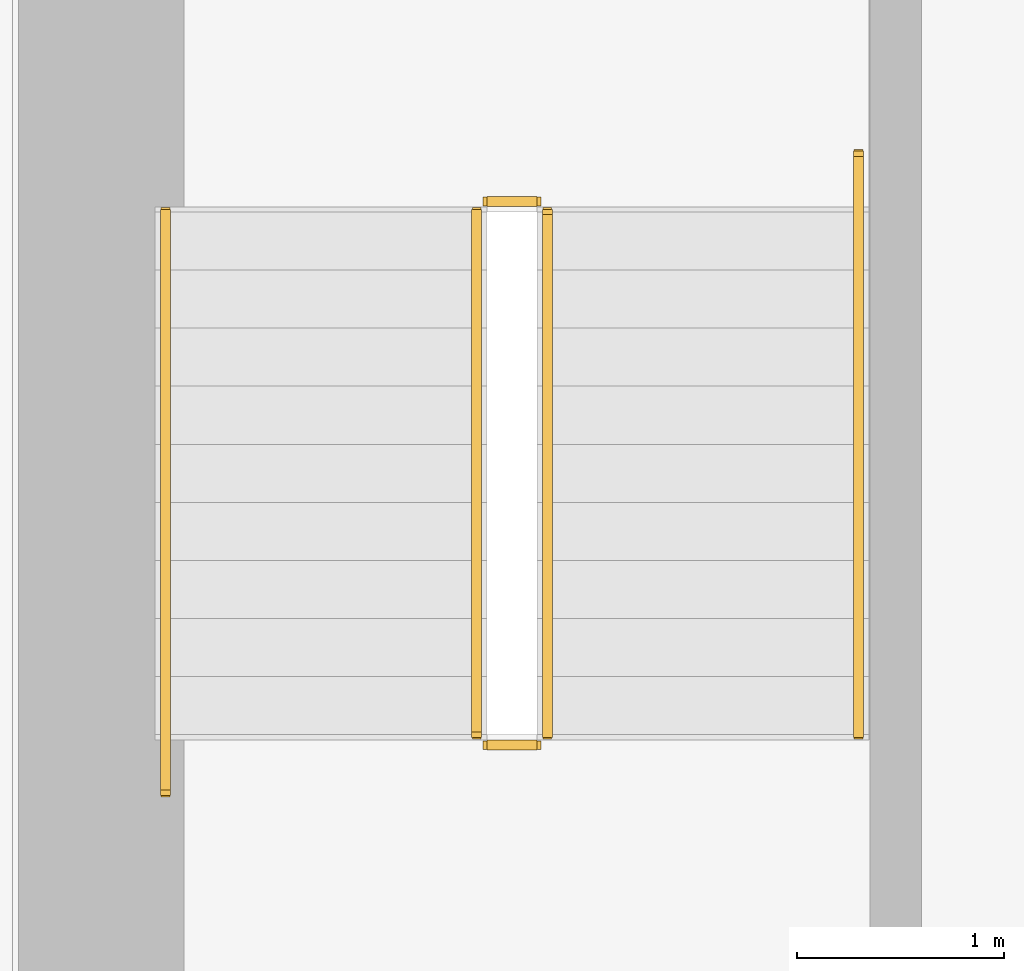
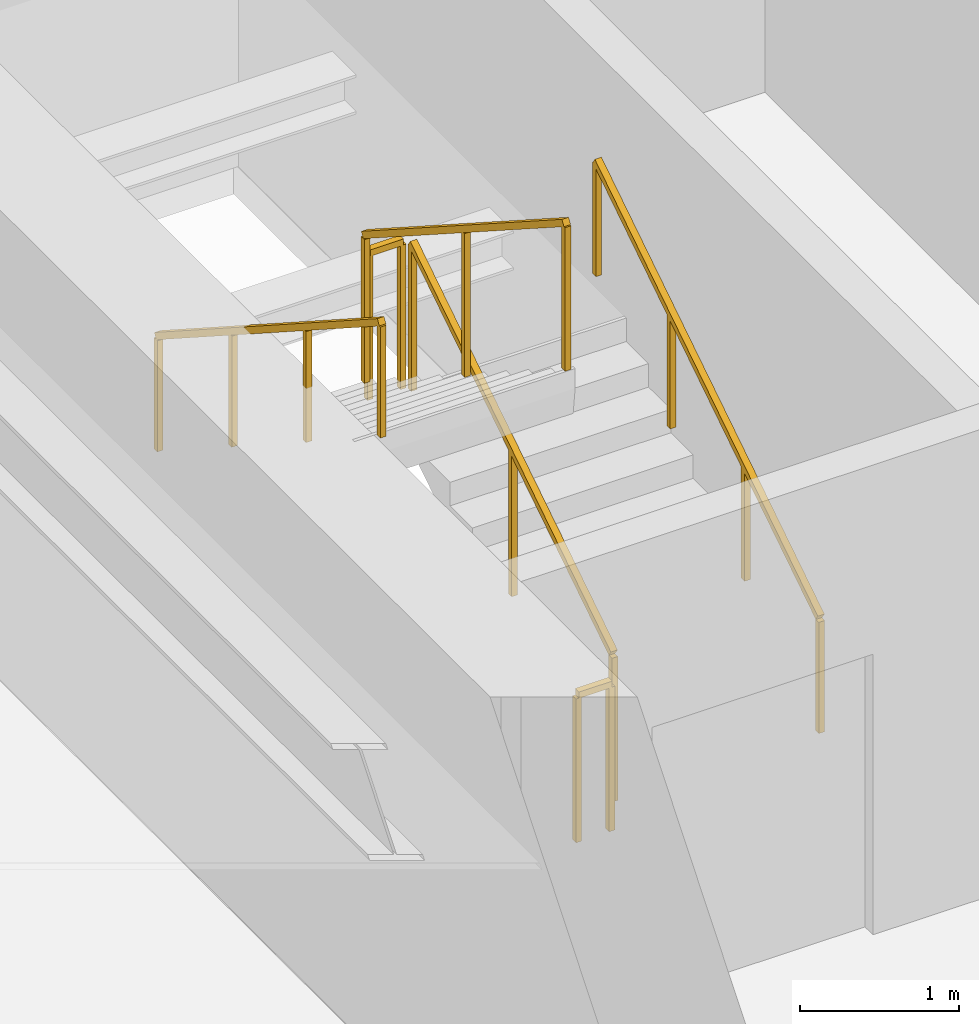
# One storey, part 30 of 33: 6 railings.
"""IFC4 building model written with IfcOpenShell, lengths in metres."""

from ifc_helpers import new_model, si_unit, direction, frame, origin, origin_2d, place, context, subcontext, project, spatial, rectangle, extrude, material, type_object, element, save


model = new_model("IFC4")

# Units and contexts
model_context = context("Model", 3, precision=1e-05, world=origin(), true_north=direction((0.0, 1.0)))
body_context = subcontext(model_context, "Body", "Model", "MODEL_VIEW")
ifc_project = project(units=[si_unit("LENGTHUNIT", "METRE"), si_unit("AREAUNIT", "SQUARE_METRE"), si_unit("VOLUMEUNIT", "CUBIC_METRE"), si_unit("PLANEANGLEUNIT", "RADIAN"), si_unit("MASSUNIT", "GRAM", prefix="KILO")], contexts=[model_context])

# Site, building, storey
site_placement = place(None, origin())
site = spatial("IfcSite", under=ifc_project, at=site_placement, CompositionType="ELEMENT")
building_placement = place(site_placement, origin())
building = spatial("IfcBuilding", under=site, at=building_placement, Name="Sumidabori Civic Tower", CompositionType="ELEMENT")
storey_placement = place(building_placement, frame((0.0, 0.0, 27.199951171875)))
storey = spatial("IfcBuildingStorey", under=building, at=storey_placement, Name="L06", CompositionType="ELEMENT", Elevation=27.199951171875)

# Railings
ifc_material_1 = material(Name="Stainless Steel Hairline Finish", Category="steel")
railing_type_1 = type_object("IfcRailingType", Name="RL-HANDRAIL", PredefinedType="HANDRAIL", material=ifc_material_1)
railing_1_placement = place(storey_placement, frame((-11.949951171875, 16.0, 0.179931640625)))
element("IfcRailing", 1, at=railing_1_placement, inside=storey, type_object=railing_type_1, Name="L06 ST-1 stair handrail 1", PredefinedType="HANDRAIL", context=body_context, shape_type="SweptSolid", body=[
    extrude(rectangle(XDim=0.048095703125, YDim=0.048095703125, at=origin_2d()), frame((0.0, 0.0, 0.8759765625), z_axis=(0.0, 0.84064222762, 0.54159084662), x_axis=(-1.0, 0.0, 0.0)), (0.0, 0.0, 1.0), 3.330810546875),
    extrude(rectangle(XDim=0.0419921875, YDim=0.0419921875, at=origin_2d()), origin(), (0.0, 0.0, 1.0), 0.851806640625),
    extrude(rectangle(XDim=0.0419921875, YDim=0.0419921875, at=origin_2d()), frame((0.0, 0.933349609375, 0.601318359375)), (0.0, 0.0, 1.0), 0.851806640625),
    extrude(rectangle(XDim=0.0419921875, YDim=0.0419921875, at=origin_2d()), frame((0.0, 1.86669921875, 1.20263671875)), (0.0, 0.0, 1.0), 0.851806640625),
    extrude(rectangle(XDim=0.0419921875, YDim=0.0419921875, at=origin_2d()), frame((0.0, 2.800048828125, 1.803955078125)), (0.0, 0.0, 1.0), 0.851806640625),
])
railing_2_placement = place(storey_placement, frame((-15.2900390625, 18.52001953125, 1.97998046875)))
element("IfcRailing", 2, at=railing_2_placement, inside=storey, type_object=railing_type_1, Name="L06 ST-1 stair handrail 2", PredefinedType="HANDRAIL", context=body_context, shape_type="SweptSolid", body=[
    extrude(rectangle(XDim=0.048095703125, YDim=0.048095703125, at=origin_2d()), frame((0.0, 0.0, 0.8759765625), z_axis=(0.0, -0.84064222762, 0.54159084662), x_axis=(1.0, 0.0, 0.0)), (0.0, 0.0, 1.0), 3.330810546875),
    extrude(rectangle(XDim=0.0419921875, YDim=0.0419921875, at=origin_2d()), origin(), (0.0, 0.0, 1.0), 0.851806640625),
    extrude(rectangle(XDim=0.0419921875, YDim=0.0419921875, at=origin_2d()), frame((0.0, -0.933349609375, 0.601318359375)), (0.0, 0.0, 1.0), 0.851806640625),
    extrude(rectangle(XDim=0.0419921875, YDim=0.0419921875, at=origin_2d()), frame((0.0, -1.86669921875, 1.20263671875)), (0.0, 0.0, 1.0), 0.851806640625),
    extrude(rectangle(XDim=0.0419921875, YDim=0.0419921875, at=origin_2d()), frame((0.0, -2.800048828125, 1.803955078125)), (0.0, 0.0, 1.0), 0.851806640625),
])
ifc_material_2 = material(Name="Steel SN490", Category="steel")
railing_type_2 = type_object("IfcRailingType", Name="RL-STAIR-GUARD", PredefinedType="GUARDRAIL", material=ifc_material_2)
railing_3_placement = place(storey_placement, frame((-13.449951171875, 16.0, 0.179931640625)))
element("IfcRailing", 3, at=railing_3_placement, inside=storey, type_object=railing_type_2, Name="L06 ST-1 stair guard 1", PredefinedType="GUARDRAIL", context=body_context, shape_type="SweptSolid", body=[
    extrude(rectangle(XDim=0.048095703125, YDim=0.048095703125, at=origin_2d()), frame((0.0, 0.0, 1.1259765625), z_axis=(0.0, 0.841162588446, 0.540782303519), x_axis=(-1.0, 0.0, 0.0)), (0.0, 0.0, 1.0), 2.995849609375),
    extrude(rectangle(XDim=0.0419921875, YDim=0.0419921875, at=origin_2d()), origin(), (0.0, 0.0, 1.0), 1.101806640625),
    extrude(rectangle(XDim=0.0419921875, YDim=0.0419921875, at=origin_2d()), frame((0.0, 1.260009765625, 0.81005859375)), (0.0, 0.0, 1.0), 1.101806640625),
    extrude(rectangle(XDim=0.0419921875, YDim=0.0419921875, at=origin_2d()), frame((0.0, 2.52001953125, 1.6201171875)), (0.0, 0.0, 1.0), 1.101806640625),
])
railing_4_placement = place(storey_placement, frame((-13.5, 18.570068359375, 1.800048828125)))
element("IfcRailing", 4, at=railing_4_placement, inside=storey, type_object=railing_type_2, Name="L06 ST-1 stair guard 2", PredefinedType="GUARDRAIL", context=body_context, shape_type="SweptSolid", body=[
    extrude(rectangle(XDim=0.048095703125, YDim=0.048095703125, at=origin_2d()), frame((0.0, 0.0, 1.1259765625), z_axis=(-1.0, 0.0, 0.0), x_axis=(0.0, -1.0, 0.0)), (0.0, 0.0, 1.0), 0.239990234375),
    extrude(rectangle(XDim=0.0419921875, YDim=0.0419921875, at=origin_2d()), origin(), (0.0, 0.0, 1.0), 1.101806640625),
    extrude(rectangle(XDim=0.0419921875, YDim=0.0419921875, at=origin_2d()), frame((-0.239990234375, 0.0, 0.0)), (0.0, 0.0, 1.0), 1.101806640625),
])
railing_5_placement = place(storey_placement, frame((-13.7900390625, 18.52001953125, 1.97998046875)))
element("IfcRailing", 5, at=railing_5_placement, inside=storey, type_object=railing_type_2, Name="L06 ST-1 stair guard 3", PredefinedType="GUARDRAIL", context=body_context, shape_type="SweptSolid", body=[
    extrude(rectangle(XDim=0.048095703125, YDim=0.048095703125, at=origin_2d()), frame((0.0, 0.0, 1.1259765625), z_axis=(0.0, -0.841162588446, 0.540782303519), x_axis=(1.0, 0.0, 0.0)), (0.0, 0.0, 1.0), 2.995849609375),
    extrude(rectangle(XDim=0.0419921875, YDim=0.0419921875, at=origin_2d()), origin(), (0.0, 0.0, 1.0), 1.101806640625),
    extrude(rectangle(XDim=0.0419921875, YDim=0.0419921875, at=origin_2d()), frame((0.0, -1.260009765625, 0.81005859375)), (0.0, 0.0, 1.0), 1.101806640625),
    extrude(rectangle(XDim=0.0419921875, YDim=0.0419921875, at=origin_2d()), frame((0.0, -2.52001953125, 1.6201171875)), (0.0, 0.0, 1.0), 1.101806640625),
])
railing_6_placement = place(storey_placement, frame((-13.5, 15.949951171875, 0.0)))
element("IfcRailing", 6, at=railing_6_placement, inside=storey, type_object=railing_type_2, Name="L06 ST-1 stair guard 4", PredefinedType="GUARDRAIL", context=body_context, shape_type="SweptSolid", body=[
    extrude(rectangle(XDim=0.048095703125, YDim=0.048095703125, at=origin_2d()), frame((0.0, 0.0, 1.1259765625), z_axis=(-1.0, 0.0, 0.0), x_axis=(0.0, -1.0, 0.0)), (0.0, 0.0, 1.0), 0.239990234375),
    extrude(rectangle(XDim=0.0419921875, YDim=0.0419921875, at=origin_2d()), origin(), (0.0, 0.0, 1.0), 1.101806640625),
    extrude(rectangle(XDim=0.0419921875, YDim=0.0419921875, at=origin_2d()), frame((-0.239990234375, 0.0, 0.0)), (0.0, 0.0, 1.0), 1.101806640625),
])

save(model, "model.ifc")
